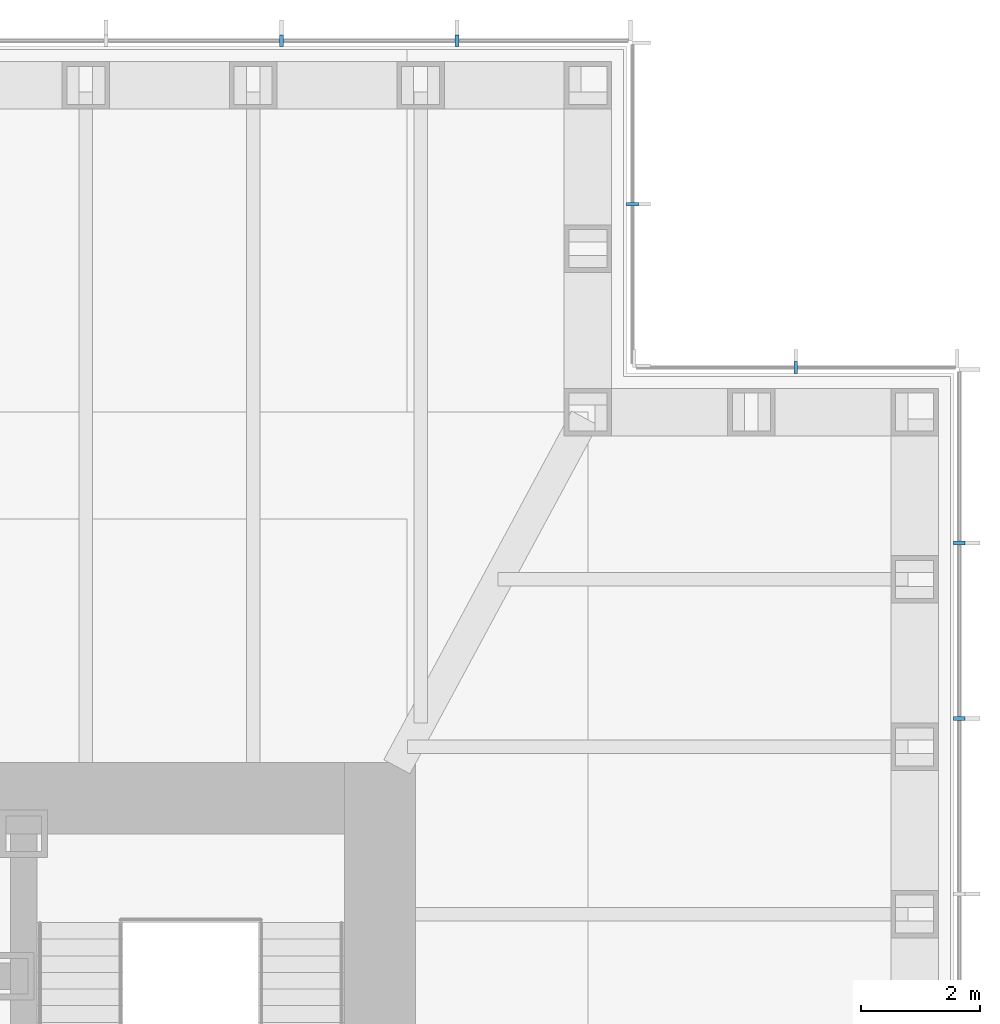
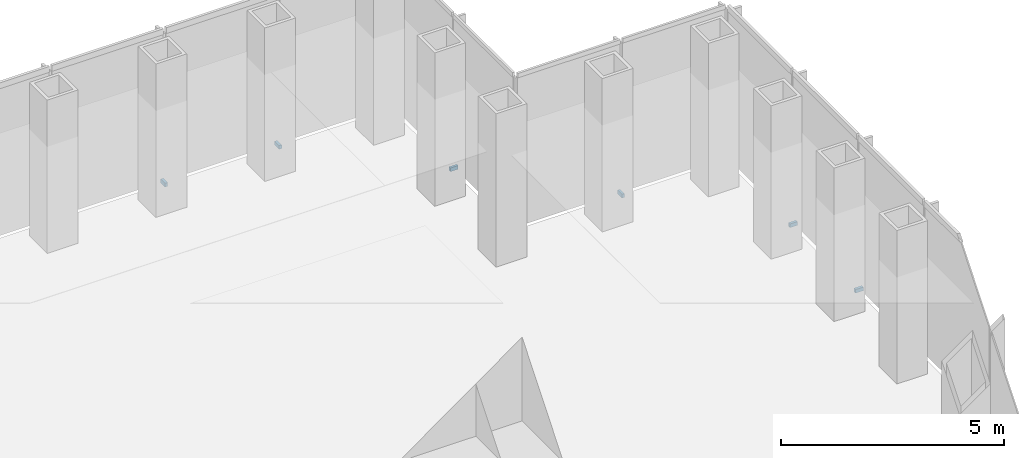
# One storey, part 15 of 16: 6 discrete accessories.
"""IFC4 building model written with IfcOpenShell, lengths in metres."""

import ifcopenshell
import ifcopenshell.guid

model = None  # the IFC model being written
_history = None  # IfcOwnerHistory: only IFC2X3 demands one
_inside = {}  # id of a spatial element -> (the spatial element, [elements in it])
_under = {}  # id of a project, library or spatial element -> (it, [spatial elements below it])
_declared = {}  # id of a project -> (the project, [libraries it declares])
_typed = {}  # id of a type object -> (the type object, [elements of that type])
_made_of = {}  # id of a material, layer set ... -> (it, [elements and type objects made of it])


def new_model(schema):
    """Start an empty IFC model of exactly this schema.

    Asked for "IFC4X3", IfcOpenShell would pick the latest addendum, in which some entities
    have other attributes; the version numbers below select the first issue.
    IFC2X3 requires an IfcOwnerHistory on every rooted entity: one is made here for all.
    """
    global model, _history
    if schema == "IFC4X3":
        model = ifcopenshell.file(schema_version=(4, 3, 0, 0))
    else:
        model = ifcopenshell.file(schema=schema)
    _inside.clear()
    _under.clear()
    _declared.clear()
    _typed.clear()
    _made_of.clear()
    _history = None
    if model.schema == "IFC2X3":
        org = make("IfcOrganization", Name="unknown")
        user = make(
            "IfcPersonAndOrganization",
            ThePerson=make("IfcPerson", FamilyName="unknown"),
            TheOrganization=org,
        )
        app = make(
            "IfcApplication",
            ApplicationDeveloper=org,
            Version="unknown",
            ApplicationFullName="unknown",
            ApplicationIdentifier="unknown",
        )
        _history = make(
            "IfcOwnerHistory",
            OwningUser=user,
            OwningApplication=app,
            ChangeAction="ADDED",
            CreationDate=0,
        )
    return model


def make(cls, **values):
    """One entity of the class cls with the attributes given. An attribute that is None is left unset."""
    return model.create_entity(
        cls, **{name: value for name, value in values.items() if value is not None}
    )


def rooted(cls, **values):
    """An entity with a GlobalId (a new one), such as an element, a storey or a relation."""
    return make(cls, GlobalId=ifcopenshell.guid.new(), OwnerHistory=_history, **values)


def si_unit(unit_type, name, prefix=None):
    """IfcSIUnit, for example si_unit("LENGTHUNIT", "METRE", prefix="MILLI")."""
    return make("IfcSIUnit", UnitType=unit_type, Prefix=prefix, Name=name)


def assignment(units):
    """IfcUnitAssignment: the units of a project."""
    return None if units is None else make("IfcUnitAssignment", Units=units)


def point(xyz):
    """IfcCartesianPoint."""
    return None if xyz is None else make("IfcCartesianPoint", Coordinates=xyz)


def direction(xyz):
    """IfcDirection."""
    return None if xyz is None else make("IfcDirection", DirectionRatios=xyz)


def frame(location, z_axis=None, x_axis=None):
    """IfcAxis2Placement3D, a coordinate frame: its origin and axes. An axis left out is left unset."""
    return make(
        "IfcAxis2Placement3D",
        Location=point(location),
        Axis=direction(z_axis),
        RefDirection=direction(x_axis),
    )


def frame_2d(location, x_axis=None):
    """IfcAxis2Placement2D, a coordinate frame in the plane: its origin and x axis."""
    return make(
        "IfcAxis2Placement2D", Location=point(location), RefDirection=direction(x_axis)
    )


def origin():
    """The frame at (0, 0, 0) with its axes left unset."""
    return frame((0.0, 0.0, 0.0))


def origin_2d():
    """The frame at (0, 0) in the plane with its x axis left unset."""
    return frame_2d((0.0, 0.0))


def place(relative_to, where):
    """IfcLocalPlacement: puts the frame where relative to a parent placement (None: the world)."""
    return make(
        "IfcLocalPlacement", PlacementRelTo=relative_to, RelativePlacement=where
    )


def context(
    kind, dimensions, precision=None, world=None, true_north=None, identifier=None
):
    """IfcGeometricRepresentationContext, for example the 3D "Model" context."""
    return make(
        "IfcGeometricRepresentationContext",
        ContextIdentifier=identifier,
        ContextType=kind,
        CoordinateSpaceDimension=dimensions,
        Precision=precision,
        WorldCoordinateSystem=world,
        TrueNorth=true_north,
    )


def subcontext(parent, identifier, kind, view, scale=None):
    """IfcGeometricRepresentationSubContext, for example "Body" below "Model"."""
    return make(
        "IfcGeometricRepresentationSubContext",
        ContextIdentifier=identifier,
        ContextType=kind,
        ParentContext=parent,
        TargetScale=scale,
        TargetView=view,
    )


def project(units=None, contexts=None):
    """IfcProject with its units and contexts."""
    return rooted(
        "IfcProject",
        Name="project",
        RepresentationContexts=contexts,
        UnitsInContext=assignment(units),
    )


def spatial(cls, under=None, at=None, **own):
    """A site, building, storey or space (cls), placed at a placement, below another one or the project."""
    s = rooted(cls, ObjectPlacement=at, **own)
    if under is not None:
        _under.setdefault(under.id(), (under, []))[1].append(s)
    return s


def profile(cls, at=None, kind="AREA", **sizes):
    """A parametric profile (cls). Its sizes go by their IFC names, for example OverallWidth=200.0."""
    return make(cls, ProfileType=kind, Position=at, **sizes)


def rectangle(**sizes):
    """IfcRectangleProfileDef."""
    return profile("IfcRectangleProfileDef", **sizes)


def extrude(swept, where, along, depth):
    """IfcExtrudedAreaSolid: the profile swept, set in the frame where, extruded along a direction by depth."""
    return make(
        "IfcExtrudedAreaSolid",
        SweptArea=swept,
        Position=where,
        ExtrudedDirection=direction(along),
        Depth=depth,
    )


def shape(context_of_items, identifier, shape_type, items):
    """IfcShapeRepresentation: the items that make up one representation, for example the "Body"."""
    return make(
        "IfcShapeRepresentation",
        ContextOfItems=context_of_items,
        RepresentationIdentifier=identifier,
        RepresentationType=shape_type,
        Items=items,
    )


def made_of(thing, what):
    """Note that an element or type object is made of a material, layer set ...; save() writes the relation."""
    if what is not None:
        _made_of.setdefault(what.id(), (what, []))[1].append(thing)
    return thing


def element(
    cls,
    number,
    at=None,
    inside=None,
    cuts=None,
    type_object=None,
    material=None,
    context=None,
    identifier="Body",
    shape_type=None,
    held_by="IfcProductDefinitionShape",
    body=None,
    shapes=None,
    **own,
):
    """One element of the class cls, such as IfcWall. Its Tag is "e" and its number.

    at: its placement. inside: the storey or other place that contains it. cuts: it is an
    opening in that element (IfcRelVoidsElement). A single representation is given by context,
    identifier, shape_type and body (its items); several are given by shapes. held_by: the class
    of the entity that holds the representations. save() writes the other relations.
    """
    e = rooted(cls, Tag="e%d" % number, ObjectPlacement=at, **own)
    if body is not None:
        shapes = [shape(context, identifier, shape_type, body)]
    if shapes is not None:
        e.Representation = make(held_by, Representations=shapes)
    if inside is not None:
        _inside.setdefault(inside.id(), (inside, []))[1].append(e)
    if cuts is not None:
        rooted(
            "IfcRelVoidsElement", RelatingBuildingElement=cuts, RelatedOpeningElement=e
        )
    if type_object is not None:
        _typed.setdefault(type_object.id(), (type_object, []))[1].append(e)
    return made_of(e, material)


def aggregate(whole, parts):
    """IfcRelAggregates: a whole, such as a stair, and the parts it consists of."""
    return rooted("IfcRelAggregates", RelatingObject=whole, RelatedObjects=parts)


def save(model, path):
    """Write the relations noted so far, then the file.

    IfcRelAggregates (storeys below a building ...), IfcRelContainedInSpatialStructure (elements
    in a storey), IfcRelDefinesByType, IfcRelAssociatesMaterial and IfcRelDeclares: one each for
    every whole, place, type object, material and project.
    """
    for whole, parts in _under.values():
        aggregate(whole, parts)
    for where, things in _inside.values():
        rooted(
            "IfcRelContainedInSpatialStructure",
            RelatedElements=things,
            RelatingStructure=where,
        )
    for kind, things in _typed.values():
        rooted("IfcRelDefinesByType", RelatedObjects=things, RelatingType=kind)
    for what, things in _made_of.values():
        rooted("IfcRelAssociatesMaterial", RelatedObjects=things, RelatingMaterial=what)
    for by, libraries in _declared.values():
        rooted("IfcRelDeclares", RelatingContext=by, RelatedDefinitions=libraries)
    model.write(path)


model = new_model("IFC4")

# Units and contexts
model_context = context("Model", 3, precision=1e-05, world=origin(), true_north=direction((0.0, 1.0)))
body_context = subcontext(model_context, "Body", "Model", "MODEL_VIEW")
ifc_project = project(units=[si_unit("LENGTHUNIT", "METRE"), si_unit("AREAUNIT", "SQUARE_METRE"), si_unit("VOLUMEUNIT", "CUBIC_METRE"), si_unit("PLANEANGLEUNIT", "RADIAN"), si_unit("MASSUNIT", "GRAM", prefix="KILO")], contexts=[model_context])

# Site, building, storey
site_placement = place(None, origin())
site = spatial("IfcSite", under=ifc_project, at=site_placement, CompositionType="ELEMENT")
building_placement = place(site_placement, origin())
building = spatial("IfcBuilding", under=site, at=building_placement, Name="Daluyong Arena Tower", CompositionType="ELEMENT")
storey_placement = place(building_placement, frame((0.0, 0.0, 235.89990234375)))
storey = spatial("IfcBuildingStorey", under=building, at=storey_placement, Name="L53", CompositionType="ELEMENT", Elevation=235.89990234375)

# Discrete accessories
for number, where, z_axis, x_axis, name in (
    (1, (77.75, 90.3408203125, -0.099853515625), (0.0, 0.0, 1.0), (0.0, 1.0, 0.0), "curtain wall L53 E anchor bracket 10"),
    (2, (77.75, 93.29541015625, -0.099853515625), (0.0, 0.0, 1.0), (0.0, 1.0, 0.0), "curtain wall L53 E anchor bracket 11"),
):
    element("IfcDiscreteAccessory", number, at=place(storey_placement, frame(where, z_axis=z_axis, x_axis=x_axis)), inside=storey, Name=name, PredefinedType="BRACKET", context=body_context, shape_type="SweptSolid", body=[
        extrude(rectangle(XDim=0.070068359375, YDim=0.199951171875, at=origin_2d()), origin(), (0.0, 0.0, 1.0), 0.10009765625),
    ])
for number, where, z_axis, x_axis, name in (
    (3, (75.0, 96.25, -0.099853515625), (0.0, 0.0, 1.0), (-1.0, 0.0, 0.0), "curtain wall L53 NE-N anchor bracket 2"),
    (4, (72.25, 99.0, -0.099853515625), (0.0, 0.0, 1.0), (0.0, 1.0, 0.0), "curtain wall L53 NE-E anchor bracket 2"),
):
    element("IfcDiscreteAccessory", number, at=place(storey_placement, frame(where, z_axis=z_axis, x_axis=x_axis)), inside=storey, Name=name, PredefinedType="BRACKET", context=body_context, shape_type="SweptSolid", body=[
        extrude(rectangle(XDim=0.06005859375, YDim=0.199951171875, at=origin_2d()), origin(), (0.0, 0.0, 1.0), 0.10009765625),
    ])
for number, where, z_axis, x_axis, name in (
    (5, (69.29541015625, 101.75, -0.099853515625), (0.0, 0.0, 1.0), (-1.0, 0.0, 0.0), "curtain wall L53 N anchor bracket 2"),
    (6, (66.3408203125, 101.75, -0.099853515625), (0.0, 0.0, 1.0), (-1.0, 0.0, 0.0), "curtain wall L53 N anchor bracket 3"),
):
    element("IfcDiscreteAccessory", number, at=place(storey_placement, frame(where, z_axis=z_axis, x_axis=x_axis)), inside=storey, Name=name, PredefinedType="BRACKET", context=body_context, shape_type="SweptSolid", body=[
        extrude(rectangle(XDim=0.070068359375, YDim=0.199951171875, at=origin_2d()), origin(), (0.0, 0.0, 1.0), 0.10009765625),
    ])

save(model, "model.ifc")
